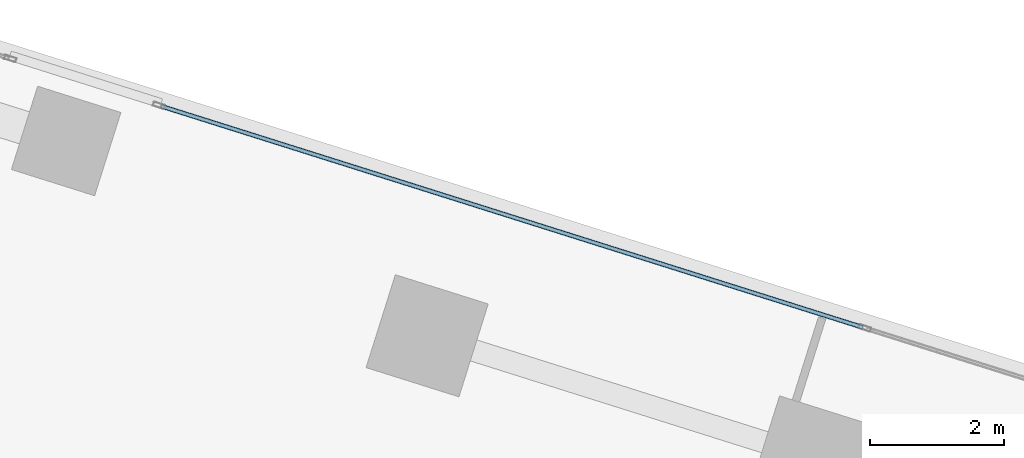
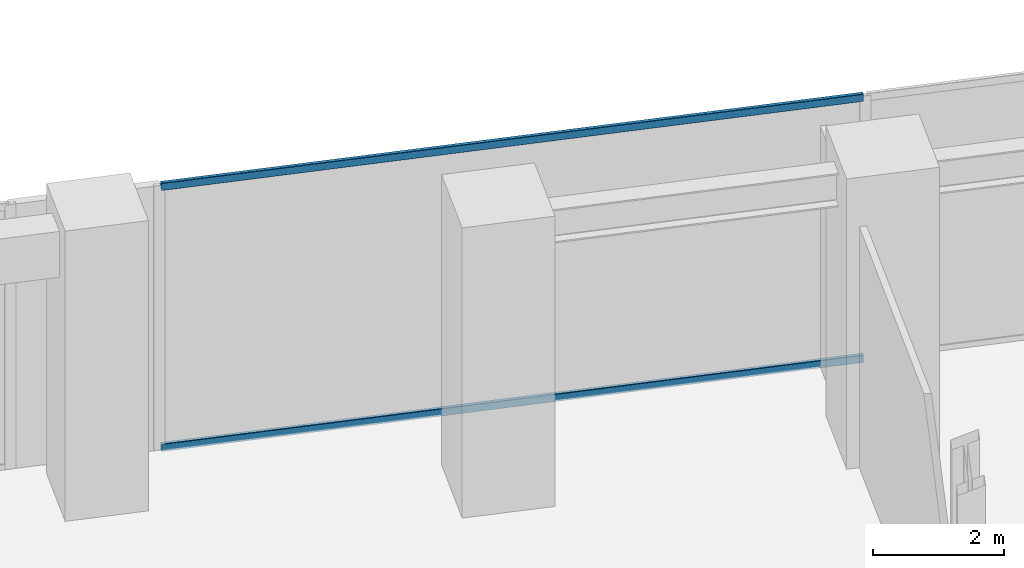
# One storey, part 18 of 28: 2 members, 1 element without a shape of its own.
"""IFC4 building model written with IfcOpenShell, lengths in metres."""

from ifc_helpers import new_model, si_unit, direction, frame, origin, origin_2d, place, context, subcontext, project, spatial, hollow_rectangle, extrude, source, transform, mapped, material, material_profile, profile_set, type_object, element, aggregate, save


model = new_model("IFC4")

# Units and contexts
model_context = context("Model", 3, precision=1e-05, world=origin(), true_north=direction((0.0, 1.0)))
body_context = subcontext(model_context, "Body", "Model", "MODEL_VIEW")
ifc_project = project(units=[si_unit("LENGTHUNIT", "METRE"), si_unit("AREAUNIT", "SQUARE_METRE"), si_unit("VOLUMEUNIT", "CUBIC_METRE"), si_unit("PLANEANGLEUNIT", "RADIAN"), si_unit("MASSUNIT", "GRAM", prefix="KILO")], contexts=[model_context])

# Site, building, storey
site_placement = place(None, origin())
site = spatial("IfcSite", under=ifc_project, at=site_placement, CompositionType="ELEMENT")
building_placement = place(site_placement, origin())
building = spatial("IfcBuilding", under=site, at=building_placement, Name="Torre Montelarca", CompositionType="ELEMENT")
storey_placement = place(building_placement, frame((0.0, 0.0, 116.800048828125)))
storey = spatial("IfcBuildingStorey", under=building, at=storey_placement, Name="L26", CompositionType="ELEMENT", Elevation=116.800048828125)

# Curtain wall, members
ifc_material_1 = material(Name="Insulated low-E laminated glass", Category="glass")
curtain_wall_type = type_object("IfcCurtainWallType", Name="CW-SYS-Z1", PredefinedType="USERDEFINED", material=ifc_material_1)
curtain_wall_placement = place(storey_placement, origin())
curtain_wall = element("IfcCurtainWall", 1, at=curtain_wall_placement, inside=storey, type_object=curtain_wall_type, Name="L26 Curtain Wall Run CW-T3-L26-E08-B1", ObjectType="UNITISED GLAZING", PredefinedType="USERDEFINED")
ifc_material_2 = material(Name="Anodised aluminium AA 6063-T6", Category="aluminium")
ifc_material_profile = material_profile(ifc_material_2, hollow_rectangle(XDim=0.06494140625, YDim=0.139892578125, WallThickness=0.00390625, InnerFilletRadius=0.00390625, OuterFilletRadius=0.008056640625, at=origin_2d()), Name="ALU65X140X4", Category="aluminium")
ifc_profile_set = profile_set([ifc_material_profile], Name="Anodised aluminium AA 6063-T6")
member_type = type_object("IfcMemberType", Name="CWT-ALU140", PredefinedType="USERDEFINED", material=ifc_profile_set)
shared_shape = source(origin(), body_context, "Body", "SweptSolid", [
    extrude(hollow_rectangle(XDim=0.06494140625, YDim=0.139892578125, WallThickness=0.00390625, InnerFilletRadius=0.00390625, OuterFilletRadius=0.008056640625, at=origin_2d()), origin(), (0.0, 0.0, 1.0), 10.954833984375),
])
member_1_placement = place(storey_placement, frame((51.74853515625, 39.3125, 0.032470703125), z_axis=(-0.953716288411, 0.300707900162, 0.0), x_axis=(-0.300707900162, -0.953716288411, 0.0)))
member_1 = element("IfcMember", 2, at=member_1_placement, type_object=member_type, Name="CW transom 2.1", ObjectType="TRANSOM", PredefinedType="USERDEFINED", context=body_context, shape_type="MappedRepresentation", body=[
    mapped(shared_shape, transform((0.0, 0.0, 0.0), scale=1.0)),
])
member_2_placement = place(storey_placement, frame((51.74853515625, 39.3125, 4.887451171875), z_axis=(-0.953716288411, 0.300707900162, 0.0), x_axis=(-0.300707900162, -0.953716288411, 0.0)))
member_2 = element("IfcMember", 3, at=member_2_placement, type_object=member_type, Name="CW transom 2.2", ObjectType="TRANSOM", PredefinedType="USERDEFINED", context=body_context, shape_type="MappedRepresentation", body=[
    mapped(shared_shape, transform((0.0, 0.0, 0.0), scale=1.0)),
])
aggregate(curtain_wall, [member_1, member_2])

save(model, "model.ifc")
